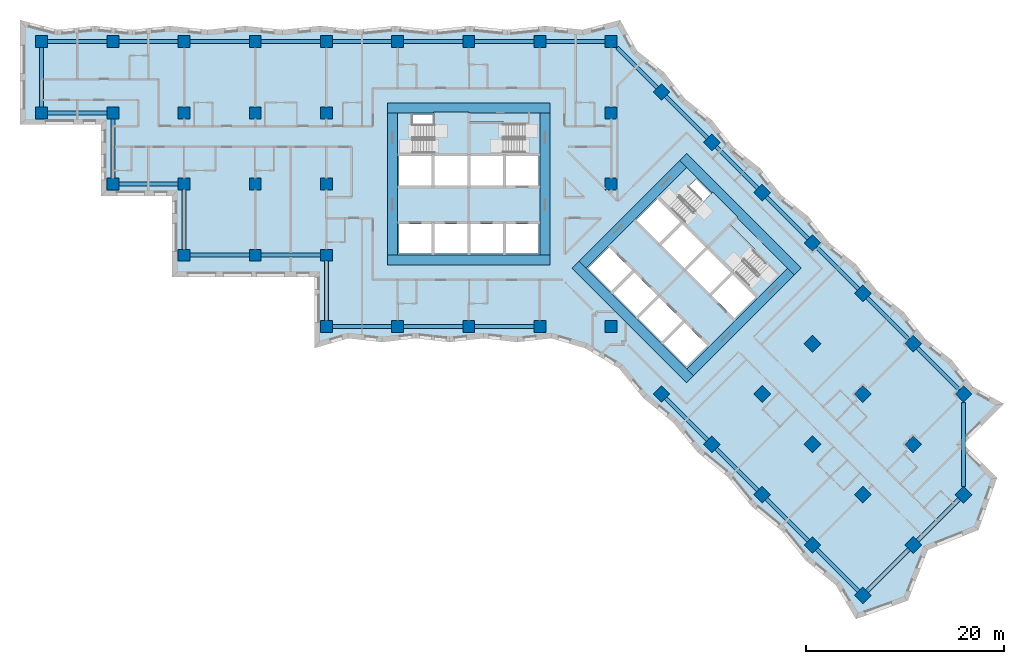
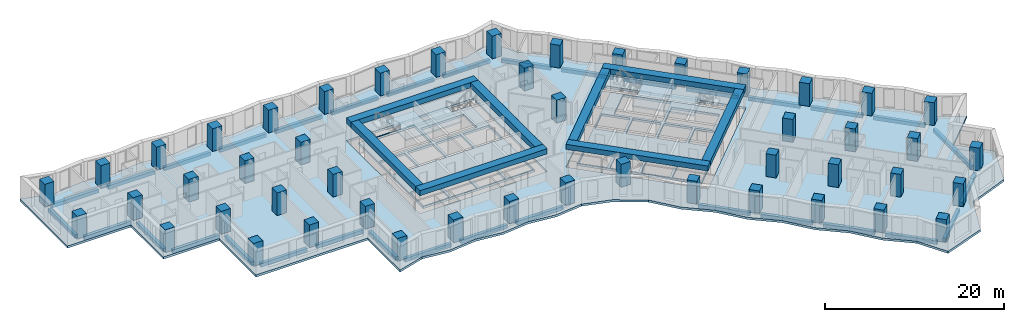
# One storey, part 1 of 12: 48 columns, 41 beams, 7 slabs, 22 openings, 4 elements without a shape of their own.
"""IFC4 building model written with IfcOpenShell, lengths in metres."""

from ifc_helpers import new_model, si_unit, direction, frame, origin, origin_2d, place, context, subcontext, project, spatial, polyline, rectangle, outline, extrude, material, layer, layer_set, material_profile, profile_set, type_object, element, aggregate, save


model = new_model("IFC4")

# Units and contexts
model_context = context("Model", 3, precision=1e-05, world=origin(), true_north=direction((0.0, 1.0)))
body_context = subcontext(model_context, "Body", "Model", "MODEL_VIEW")
ifc_project = project(units=[si_unit("LENGTHUNIT", "METRE"), si_unit("AREAUNIT", "SQUARE_METRE"), si_unit("VOLUMEUNIT", "CUBIC_METRE"), si_unit("PLANEANGLEUNIT", "RADIAN"), si_unit("MASSUNIT", "GRAM", prefix="KILO")], contexts=[model_context])

# Site, building, storey
site_placement = place(None, origin())
site = spatial("IfcSite", under=ifc_project, at=site_placement, CompositionType="ELEMENT")
building_placement = place(site_placement, origin())
building = spatial("IfcBuilding", under=site, at=building_placement, Name="Windrow Commons", CompositionType="ELEMENT")
storey_placement = place(building_placement, frame((0.0, 0.0, 37.2)))
storey = spatial("IfcBuildingStorey", under=building, at=storey_placement, Name="L09", CompositionType="ELEMENT", Elevation=37.2)

# Columns
ifc_material_1 = material(Name="Concrete C60/75", Category="concrete")
ifc_material_profile_1 = material_profile(ifc_material_1, rectangle(XDim=1.2, YDim=1.2, at=origin_2d()))
ifc_profile_set_1 = profile_set([ifc_material_profile_1], Name="Concrete C60/75")
column_type = type_object("IfcColumnType", Name="RC COLUMN 1200x1200 C60/75", PredefinedType="COLUMN", material=ifc_profile_set_1)
for number, where, z_axis, x_axis, name in (
    (1, (21.6, 64.8, 0.0), (0.0, 0.0, 1.0), (1.0, 0.0, 0.0), "C-Z1-04I"),
    (2, (21.6, 72.0, 0.0), (0.0, 0.0, 1.0), (1.0, 0.0, 0.0), "C-Z1-04J"),
    (3, (28.8, 57.6, 0.0), (0.0, 0.0, 1.0), (1.0, 0.0, 0.0), "C-Z1-05H"),
    (4, (28.8, 64.8, 0.0), (0.0, 0.0, 1.0), (1.0, 0.0, 0.0), "C-Z1-05I"),
    (5, (28.8, 72.0, 0.0), (0.0, 0.0, 1.0), (1.0, 0.0, 0.0), "C-Z1-05J"),
    (6, (36.0, 50.4, 0.0), (0.0, 0.0, 1.0), (1.0, 0.0, 0.0), "C-Z1-06G"),
    (7, (36.0, 57.6, 0.0), (0.0, 0.0, 1.0), (1.0, 0.0, 0.0), "C-Z1-06H"),
    (8, (36.0, 64.8, 0.0), (0.0, 0.0, 1.0), (1.0, 0.0, 0.0), "C-Z1-06I"),
    (9, (36.0, 72.0, 0.0), (0.0, 0.0, 1.0), (1.0, 0.0, 0.0), "C-Z1-06J"),
    (10, (43.2, 50.4, 0.0), (0.0, 0.0, 1.0), (1.0, 0.0, 0.0), "C-Z1-07G"),
    (11, (43.2, 57.6, 0.0), (0.0, 0.0, 1.0), (1.0, 0.0, 0.0), "C-Z1-07H"),
    (12, (43.2, 64.8, 0.0), (0.0, 0.0, 1.0), (1.0, 0.0, 0.0), "C-Z1-07I"),
    (13, (43.2, 72.0, 0.0), (0.0, 0.0, 1.0), (1.0, 0.0, 0.0), "C-Z1-07J"),
    (14, (50.4, 43.2, 0.0), (0.0, 0.0, 1.0), (1.0, 0.0, 0.0), "C-Z1-08F"),
    (15, (50.4, 50.4, 0.0), (0.0, 0.0, 1.0), (1.0, 0.0, 0.0), "C-Z1-08G"),
    (16, (50.4, 57.6, 0.0), (0.0, 0.0, 1.0), (1.0, 0.0, 0.0), "C-Z1-08H"),
    (17, (50.4, 64.8, 0.0), (0.0, 0.0, 1.0), (1.0, 0.0, 0.0), "C-Z1-08I"),
    (18, (50.4, 72.0, 0.0), (0.0, 0.0, 1.0), (1.0, 0.0, 0.0), "C-Z1-08J"),
    (19, (57.6, 43.2, 0.0), (0.0, 0.0, 1.0), (1.0, 0.0, 0.0), "C-Z1-09F"),
    (20, (57.6, 72.0, 0.0), (0.0, 0.0, 1.0), (1.0, 0.0, 0.0), "C-Z1-09J"),
    (21, (64.8, 43.2, 0.0), (0.0, 0.0, 1.0), (1.0, 0.0, 0.0), "C-Z1-10F"),
    (22, (64.8, 72.0, 0.0), (0.0, 0.0, 1.0), (1.0, 0.0, 0.0), "C-Z1-10J"),
    (23, (72.0, 43.2, 0.0), (0.0, 0.0, 1.0), (1.0, 0.0, 0.0), "C-Z1-11F"),
    (24, (72.0, 72.0, 0.0), (0.0, 0.0, 1.0), (1.0, 0.0, 0.0), "C-Z1-11J"),
    (25, (79.2, 43.2, 0.0), (0.0, 0.0, 1.0), (1.0, 0.0, 0.0), "C-Z1-12F"),
    (26, (79.2, 57.6, 0.0), (0.0, 0.0, 1.0), (1.0, 0.0, 0.0), "C-Z1-12H"),
    (27, (79.2, 64.8, 0.0), (0.0, 0.0, 1.0), (1.0, 0.0, 0.0), "C-Z1-12I"),
    (28, (79.2, 72.0, 0.0), (0.0, 0.0, 1.0), (1.0, 0.0, 0.0), "C-Z1-12J"),
    (29, (84.2912, 66.9088, 0.0), (0.0, 0.0, 1.0), (0.7071067812, -0.7071067812, 0.0), "C-Z1-P2Q"),
    (30, (89.3823, 61.8177, 0.0), (0.0, 0.0, 1.0), (0.7071067812, -0.7071067812, 0.0), "C-Z1-P3Q"),
    (31, (94.4735, 56.7265, 0.0), (0.0, 0.0, 1.0), (0.7071067812, -0.7071067812, 0.0), "C-Z1-P4Q"),
    (32, (99.5647, 51.6353, 0.0), (0.0, 0.0, 1.0), (0.7071067812, -0.7071067812, 0.0), "C-Z1-P5Q"),
    (33, (84.2912, 36.3618, 0.0), (0.0, 0.0, 1.0), (0.7071067812, -0.7071067812, 0.0), "C-Z1-P5T"),
    (34, (104.6558, 46.5442, 0.0), (0.0, 0.0, 1.0), (0.7071067812, -0.7071067812, 0.0), "C-Z1-P6Q"),
    (35, (99.5647, 41.453, 0.0), (0.0, 0.0, 1.0), (0.7071067812, -0.7071067812, 0.0), "C-Z1-P6R"),
    (36, (94.4735, 36.3618, 0.0), (0.0, 0.0, 1.0), (0.7071067812, -0.7071067812, 0.0), "C-Z1-P6S"),
    (37, (89.3823, 31.2706, 0.0), (0.0, 0.0, 1.0), (0.7071067812, -0.7071067812, 0.0), "C-Z1-P6T"),
    (38, (109.747, 41.453, 0.0), (0.0, 0.0, 1.0), (0.7071067812, -0.7071067812, 0.0), "C-Z1-P7Q"),
    (39, (104.6558, 36.3618, 0.0), (0.0, 0.0, 1.0), (0.7071067812, -0.7071067812, 0.0), "C-Z1-P7R"),
    (40, (99.5647, 31.2706, 0.0), (0.0, 0.0, 1.0), (0.7071067812, -0.7071067812, 0.0), "C-Z1-P7S"),
    (41, (94.4735, 26.1795, 0.0), (0.0, 0.0, 1.0), (0.7071067812, -0.7071067812, 0.0), "C-Z1-P7T"),
    (42, (114.8382, 36.3618, 0.0), (0.0, 0.0, 1.0), (0.7071067812, -0.7071067812, 0.0), "C-Z1-P8Q"),
    (43, (109.747, 31.2706, 0.0), (0.0, 0.0, 1.0), (0.7071067812, -0.7071067812, 0.0), "C-Z1-P8R"),
    (44, (104.6558, 26.1795, 0.0), (0.0, 0.0, 1.0), (0.7071067812, -0.7071067812, 0.0), "C-Z1-P8S"),
    (45, (99.5647, 21.0883, 0.0), (0.0, 0.0, 1.0), (0.7071067812, -0.7071067812, 0.0), "C-Z1-P8T"),
    (46, (114.8382, 26.1795, 0.0), (0.0, 0.0, 1.0), (0.7071067812, -0.7071067812, 0.0), "C-Z1-P9R"),
    (47, (109.747, 21.0883, 0.0), (0.0, 0.0, 1.0), (0.7071067812, -0.7071067812, 0.0), "C-Z1-P9S"),
    (48, (104.6558, 15.9971, 0.0), (0.0, 0.0, 1.0), (0.7071067812, -0.7071067812, 0.0), "C-Z1-P9T"),
):
    element("IfcColumn", number, at=place(storey_placement, frame(where, z_axis=z_axis, x_axis=x_axis)), inside=storey, type_object=column_type, Name=name, PredefinedType="COLUMN", context=body_context, shape_type="SweptSolid", body=[
        extrude(rectangle(XDim=1.2, YDim=1.2, at=origin_2d()), origin(), (0.0, 0.0, 1.0), 3.1),
    ])

# Beams
ifc_material_2 = material(Name="Concrete C60/75", Category="concrete")
ifc_material_profile_2 = material_profile(ifc_material_2, rectangle(XDim=1.0, YDim=0.7, at=origin_2d()))
ifc_profile_set_2 = profile_set([ifc_material_profile_2], Name="Concrete C60/75")
beam_type_1 = type_object("IfcBeamType", Name="RC COUPLING BEAM 1000x700 C60/75", PredefinedType="LINTEL", material=ifc_profile_set_2)
for number, where, z_axis, x_axis, name in (
    (49, (56.6, 49.9, 2.75), (1.0, 0.0, 0.0), (0.0, 1.0, 0.0), "Core A coupling beam outer-S"),
    (50, (56.6, 65.3, 2.75), (1.0, 0.0, 0.0), (0.0, 1.0, 0.0), "Core A coupling beam outer-N"),
):
    element("IfcBeam", number, at=place(storey_placement, frame(where, z_axis=z_axis, x_axis=x_axis)), inside=storey, type_object=beam_type_1, Name=name, PredefinedType="LINTEL", context=body_context, shape_type="SweptSolid", body=[
        extrude(rectangle(XDim=1.0, YDim=0.7, at=origin_2d()), origin(), (0.0, 0.0, 1.0), 16.4),
    ])
for number, where, z_axis, x_axis, name in (
    (51, (57.1, 50.4, 2.75), (0.0, 1.0, 0.0), (-1.0, 0.0, 0.0), "Core A coupling beam outer-W"),
    (52, (72.5, 50.4, 2.75), (0.0, 1.0, 0.0), (-1.0, 0.0, 0.0), "Core A coupling beam outer-E"),
):
    element("IfcBeam", number, at=place(storey_placement, frame(where, z_axis=z_axis, x_axis=x_axis)), inside=storey, type_object=beam_type_1, Name=name, PredefinedType="LINTEL", context=body_context, shape_type="SweptSolid", body=[
        extrude(rectangle(XDim=1.0, YDim=0.7, at=origin_2d()), origin(), (0.0, 0.0, 1.0), 14.4),
    ])
for number, where, z_axis, x_axis, name in (
    (53, (75.5938, 49.4433, 2.75), (0.7071037324, -0.70710983, 0.0), (0.70710983, 0.7071037324, 0.0), "Core B coupling beam outer-S"),
    (54, (86.4832, 60.3327, 2.75), (0.70710983, -0.7071037324, 0.0), (0.7071037324, 0.70710983, 0.0), "Core B coupling beam outer-N"),
):
    element("IfcBeam", number, at=place(storey_placement, frame(where, z_axis=z_axis, x_axis=x_axis)), inside=storey, type_object=beam_type_1, Name=name, PredefinedType="LINTEL", context=body_context, shape_type="SweptSolid", body=[
        extrude(rectangle(XDim=1.0, YDim=0.7, at=origin_2d()), origin(), (0.0, 0.0, 1.0), 16.4),
    ])
beam_1_placement = place(storey_placement, frame((76.3009, 49.4433, 2.75), z_axis=(0.7071067812, 0.7071067812, 0.0), x_axis=(-0.7071067812, 0.7071067812, 0.0)))
element("IfcBeam", 55, at=beam_1_placement, inside=storey, type_object=beam_type_1, Name="Core B coupling beam outer-W", PredefinedType="LINTEL", context=body_context, shape_type="SweptSolid", body=[
    extrude(rectangle(XDim=1.0, YDim=0.7, at=origin_2d()), origin(), (0.0, 0.0, 1.0), 14.3999),
])
beam_2_placement = place(storey_placement, frame((87.1903, 38.5538, 2.75), z_axis=(0.707103309, 0.7071102534, 0.0), x_axis=(-0.7071102534, 0.707103309, 0.0)))
element("IfcBeam", 56, at=beam_2_placement, inside=storey, type_object=beam_type_1, Name="Core B coupling beam outer-E", PredefinedType="LINTEL", context=body_context, shape_type="SweptSolid", body=[
    extrude(rectangle(XDim=1.0, YDim=0.7, at=origin_2d()), origin(), (0.0, 0.0, 1.0), 14.4),
])
ifc_material_3 = material(Name="Concrete C60/75", Category="concrete")
ifc_material_profile_3 = material_profile(ifc_material_3, rectangle(XDim=0.4, YDim=0.5, at=origin_2d()))
ifc_profile_set_3 = profile_set([ifc_material_profile_3], Name="Concrete C60/75")
beam_type_2 = type_object("IfcBeamType", Name="RC EDGE BEAM 400x500 C60/75", PredefinedType="SPANDREL", material=ifc_profile_set_3)
for number, where, z_axis, x_axis, name in (
    (57, (42.6, 50.4, -0.55), (-1.0, 0.0, 0.0), (0.0, -1.0, 0.0), "Edge beam L09 001"),
    (58, (36.0, 51.0, -0.55), (0.0, 1.0, 0.0), (-1.0, 0.0, 0.0), "Edge beam L09 002"),
    (59, (35.4, 57.6, -0.55), (-1.0, 0.0, 0.0), (0.0, -1.0, 0.0), "Edge beam L09 003"),
    (60, (28.8, 58.2, -0.55), (0.0, 1.0, 0.0), (-1.0, 0.0, 0.0), "Edge beam L09 004"),
    (61, (28.2, 64.8, -0.55), (-1.0, 0.0, 0.0), (0.0, -1.0, 0.0), "Edge beam L09 005"),
    (62, (21.6, 65.4, -0.55), (0.0, 1.0, 0.0), (-1.0, 0.0, 0.0), "Edge beam L09 006"),
    (63, (22.2, 72.0, -0.55), (1.0, 0.0, 0.0), (0.0, 1.0, 0.0), "Edge beam L09 007"),
    (64, (29.4, 72.0, -0.55), (1.0, 0.0, 0.0), (0.0, 1.0, 0.0), "Edge beam L09 008"),
    (65, (36.6, 72.0, -0.55), (1.0, 0.0, 0.0), (0.0, 1.0, 0.0), "Edge beam L09 009"),
    (66, (43.8, 72.0, -0.55), (1.0, 0.0, 0.0), (0.0, 1.0, 0.0), "Edge beam L09 010"),
    (67, (51.0, 72.0, -0.55), (1.0, 0.0, 0.0), (0.0, 1.0, 0.0), "Edge beam L09 011"),
    (68, (58.2, 72.0, -0.55), (1.0, 0.0, 0.0), (0.0, 1.0, 0.0), "Edge beam L09 012"),
    (69, (65.4, 72.0, -0.55), (1.0, 0.0, 0.0), (0.0, 1.0, 0.0), "Edge beam L09 013"),
    (70, (72.6, 72.0, -0.55), (1.0, 0.0, 0.0), (0.0, 1.0, 0.0), "Edge beam L09 014"),
):
    element("IfcBeam", number, at=place(storey_placement, frame(where, z_axis=z_axis, x_axis=x_axis)), inside=storey, type_object=beam_type_2, Name=name, PredefinedType="SPANDREL", context=body_context, shape_type="SweptSolid", body=[
        extrude(rectangle(XDim=0.4, YDim=0.5, at=origin_2d()), origin(), (0.0, 0.0, 1.0), 6.0),
    ])
beam_3_placement = place(storey_placement, frame((79.8, 71.4, -0.55), z_axis=(0.7071067812, -0.7071067812, 0.0), x_axis=(0.7071067812, 0.7071067812, 0.0)))
element("IfcBeam", 71, at=beam_3_placement, inside=storey, type_object=beam_type_2, Name="Edge beam L09 015", PredefinedType="SPANDREL", context=body_context, shape_type="SweptSolid", body=[
    extrude(rectangle(XDim=0.4, YDim=0.5, at=origin_2d()), origin(), (0.0, 0.0, 1.0), 5.7515),
])
beam_4_placement = place(storey_placement, frame((84.7155, 66.4845, -0.55), z_axis=(0.7071067812, -0.7071067812, 0.0), x_axis=(0.7071067812, 0.7071067812, 0.0)))
element("IfcBeam", 72, at=beam_4_placement, inside=storey, type_object=beam_type_2, Name="Edge beam L09 016", PredefinedType="SPANDREL", context=body_context, shape_type="SweptSolid", body=[
    extrude(rectangle(XDim=0.4, YDim=0.5, at=origin_2d()), origin(), (0.0, 0.0, 1.0), 5.9998),
])
for number, where, z_axis, x_axis, name in (
    (73, (89.8066, 61.3934, -0.55), (0.7071067812, -0.7071067812, 0.0), (0.7071067812, 0.7071067812, 0.0), "Edge beam L09 017"),
    (74, (94.8978, 56.3022, -0.55), (0.7071067812, -0.7071067812, 0.0), (0.7071067812, 0.7071067812, 0.0), "Edge beam L09 018"),
):
    element("IfcBeam", number, at=place(storey_placement, frame(where, z_axis=z_axis, x_axis=x_axis)), inside=storey, type_object=beam_type_2, Name=name, PredefinedType="SPANDREL", context=body_context, shape_type="SweptSolid", body=[
        extrude(rectangle(XDim=0.4, YDim=0.5, at=origin_2d()), origin(), (0.0, 0.0, 1.0), 5.9999),
    ])
beam_5_placement = place(storey_placement, frame((99.989, 51.211, -0.55), z_axis=(0.7071067812, -0.7071067812, 0.0), x_axis=(0.7071067812, 0.7071067812, 0.0)))
element("IfcBeam", 75, at=beam_5_placement, inside=storey, type_object=beam_type_2, Name="Edge beam L09 019", PredefinedType="SPANDREL", context=body_context, shape_type="SweptSolid", body=[
    extrude(rectangle(XDim=0.4, YDim=0.5, at=origin_2d()), origin(), (0.0, 0.0, 1.0), 5.9998),
])
for number, where, z_axis, x_axis, name in (
    (76, (105.0801, 46.1199, -0.55), (0.7071067812, -0.7071067812, 0.0), (0.7071067812, 0.7071067812, 0.0), "Edge beam L09 020"),
    (77, (110.1713, 41.0287, -0.55), (0.7071067812, -0.7071067812, 0.0), (0.7071067812, 0.7071067812, 0.0), "Edge beam L09 021"),
):
    element("IfcBeam", number, at=place(storey_placement, frame(where, z_axis=z_axis, x_axis=x_axis)), inside=storey, type_object=beam_type_2, Name=name, PredefinedType="SPANDREL", context=body_context, shape_type="SweptSolid", body=[
        extrude(rectangle(XDim=0.4, YDim=0.5, at=origin_2d()), origin(), (0.0, 0.0, 1.0), 5.9999),
    ])
beam_6_placement = place(storey_placement, frame((114.8382, 35.5133, -0.55), z_axis=(0.0, -1.0, 0.0), x_axis=(1.0, 0.0, 0.0)))
element("IfcBeam", 78, at=beam_6_placement, inside=storey, type_object=beam_type_2, Name="Edge beam L09 022", PredefinedType="SPANDREL", context=body_context, shape_type="SweptSolid", body=[
    extrude(rectangle(XDim=0.4, YDim=0.5, at=origin_2d()), origin(), (0.0, 0.0, 1.0), 8.4853),
])
for number, where, z_axis, x_axis, name in (
    (79, (114.4139, 25.7552, -0.55), (-0.7071067812, -0.7071067812, 0.0), (0.7071067812, -0.7071067812, 0.0), "Edge beam L09 023"),
    (80, (109.3227, 20.664, -0.55), (-0.7071067812, -0.7071067812, 0.0), (0.7071067812, -0.7071067812, 0.0), "Edge beam L09 024"),
    (81, (104.2315, 16.4214, -0.55), (-0.7070984476, 0.7071151146, 0.0), (-0.7071151146, -0.7070984476, 0.0), "Edge beam L09 025"),
    (82, (99.1404, 21.5126, -0.55), (-0.7071067812, 0.7071067812, 0.0), (-0.7071067812, -0.7071067812, 0.0), "Edge beam L09 026"),
    (83, (94.0492, 26.6038, -0.55), (-0.7071151146, 0.7070984476, 0.0), (-0.7070984476, -0.7071151146, 0.0), "Edge beam L09 027"),
    (84, (88.958, 31.6949, -0.55), (-0.7070984476, 0.7071151146, 0.0), (-0.7071151146, -0.7070984476, 0.0), "Edge beam L09 028"),
):
    element("IfcBeam", number, at=place(storey_placement, frame(where, z_axis=z_axis, x_axis=x_axis)), inside=storey, type_object=beam_type_2, Name=name, PredefinedType="SPANDREL", context=body_context, shape_type="SweptSolid", body=[
        extrude(rectangle(XDim=0.4, YDim=0.5, at=origin_2d()), origin(), (0.0, 0.0, 1.0), 5.9999),
    ])
for number, where, z_axis, x_axis, name in (
    (85, (71.4, 43.2, -0.55), (-1.0, 0.0, 0.0), (0.0, -1.0, 0.0), "Edge beam L09 029"),
    (86, (64.2, 43.2, -0.55), (-1.0, 0.0, 0.0), (0.0, -1.0, 0.0), "Edge beam L09 030"),
    (87, (57.0, 43.2, -0.55), (-1.0, 0.0, 0.0), (0.0, -1.0, 0.0), "Edge beam L09 031"),
    (88, (50.4, 43.8, -0.55), (0.0, 1.0, 0.0), (-1.0, 0.0, 0.0), "Edge beam L09 032"),
    (89, (49.8, 50.4, -0.55), (-1.0, 0.0, 0.0), (0.0, -1.0, 0.0), "Edge beam L09 033"),
):
    element("IfcBeam", number, at=place(storey_placement, frame(where, z_axis=z_axis, x_axis=x_axis)), inside=storey, type_object=beam_type_2, Name=name, PredefinedType="SPANDREL", context=body_context, shape_type="SweptSolid", body=[
        extrude(rectangle(XDim=0.4, YDim=0.5, at=origin_2d()), origin(), (0.0, 0.0, 1.0), 6.0),
    ])

# Slab, openings
ifc_material_4 = material(Name="Concrete C60/75", Category="concrete")
ifc_layer_1 = layer(ifc_material_4, 0.3)
ifc_layer_set_1 = layer_set([ifc_layer_1], Name="CORE FLOOR SLAB 300 C60/75")
slab_type_1 = type_object("IfcSlabType", Name="CORE FLOOR SLAB 300 C60/75", PredefinedType="FLOOR", material=ifc_layer_set_1)
placement_1 = place(storey_placement, frame((0.0, 0.0, -0.3)))
slab_1 = element("IfcSlab", 90, at=placement_1, inside=storey, type_object=slab_type_1, Name="S-L09-core-A", PredefinedType="FLOOR", context=body_context, shape_type="SweptSolid", body=[
    extrude(outline(polyline([(57.6, 50.4), (72.0, 50.4), (72.0, 64.8), (57.6, 64.8), (57.6, 50.4)]), holes=[polyline([(57.75, 50.55), (61.05, 50.55), (61.05, 53.55), (57.75, 53.55), (57.75, 50.55)]), polyline([(61.35, 50.55), (64.65, 50.55), (64.65, 53.55), (61.35, 53.55), (61.35, 50.55)]), polyline([(64.95, 50.55), (68.25, 50.55), (68.25, 53.55), (64.95, 53.55), (64.95, 50.55)]), polyline([(68.55, 50.55), (71.85, 50.55), (71.85, 53.55), (68.55, 53.55), (68.55, 50.55)]), polyline([(57.75, 57.45), (61.05, 57.45), (61.05, 60.45), (57.75, 60.45), (57.75, 57.45)]), polyline([(61.35, 57.45), (64.65, 57.45), (64.65, 60.45), (61.35, 60.45), (61.35, 57.45)]), polyline([(64.95, 57.45), (68.25, 57.45), (68.25, 60.45), (64.95, 60.45), (64.95, 57.45)]), polyline([(68.55, 57.45), (71.85, 57.45), (71.85, 60.45), (68.55, 60.45), (68.55, 57.45)]), polyline([(59.1, 60.75), (64.65, 60.75), (64.65, 64.65), (59.1, 64.65), (59.1, 60.75)]), polyline([(64.95, 60.75), (70.5, 60.75), (70.5, 63.705), (64.95, 63.705), (64.95, 60.75)])]), origin(), (0.0, 0.0, 1.0), 0.3),
])
opening_1_placement = place(placement_1, origin())
element("IfcOpeningElement", 91, at=opening_1_placement, cuts=slab_1, Name="Slab opening S-L09-core-A 1", PredefinedType="OPENING", context=body_context, shape_type="SweptSolid", body=[
    extrude(outline(polyline([(57.755, 50.555), (57.755, 53.545), (61.045, 53.545), (61.045, 50.555), (57.755, 50.555)])), origin(), (0.0, 0.0, 1.0), 0.3),
])
opening_2_placement = place(placement_1, origin())
element("IfcOpeningElement", 92, at=opening_2_placement, cuts=slab_1, Name="Slab opening S-L09-core-A 2", PredefinedType="OPENING", context=body_context, shape_type="SweptSolid", body=[
    extrude(outline(polyline([(61.355, 50.555), (61.355, 53.545), (64.645, 53.545), (64.645, 50.555), (61.355, 50.555)])), origin(), (0.0, 0.0, 1.0), 0.3),
])
opening_3_placement = place(placement_1, origin())
element("IfcOpeningElement", 93, at=opening_3_placement, cuts=slab_1, Name="Slab opening S-L09-core-A 3", PredefinedType="OPENING", context=body_context, shape_type="SweptSolid", body=[
    extrude(outline(polyline([(64.955, 50.555), (64.955, 53.545), (68.245, 53.545), (68.245, 50.555), (64.955, 50.555)])), origin(), (0.0, 0.0, 1.0), 0.3),
])
opening_4_placement = place(placement_1, origin())
element("IfcOpeningElement", 94, at=opening_4_placement, cuts=slab_1, Name="Slab opening S-L09-core-A 4", PredefinedType="OPENING", context=body_context, shape_type="SweptSolid", body=[
    extrude(outline(polyline([(68.555, 50.555), (68.555, 53.545), (71.845, 53.545), (71.845, 50.555), (68.555, 50.555)])), origin(), (0.0, 0.0, 1.0), 0.3),
])
opening_5_placement = place(placement_1, origin())
element("IfcOpeningElement", 95, at=opening_5_placement, cuts=slab_1, Name="Slab opening S-L09-core-A 5", PredefinedType="OPENING", context=body_context, shape_type="SweptSolid", body=[
    extrude(outline(polyline([(57.755, 57.455), (57.755, 60.445), (61.045, 60.445), (61.045, 57.455), (57.755, 57.455)])), origin(), (0.0, 0.0, 1.0), 0.3),
])
opening_6_placement = place(placement_1, origin())
element("IfcOpeningElement", 96, at=opening_6_placement, cuts=slab_1, Name="Slab opening S-L09-core-A 6", PredefinedType="OPENING", context=body_context, shape_type="SweptSolid", body=[
    extrude(outline(polyline([(61.355, 57.455), (61.355, 60.445), (64.645, 60.445), (64.645, 57.455), (61.355, 57.455)])), origin(), (0.0, 0.0, 1.0), 0.3),
])
opening_7_placement = place(placement_1, origin())
element("IfcOpeningElement", 97, at=opening_7_placement, cuts=slab_1, Name="Slab opening S-L09-core-A 7", PredefinedType="OPENING", context=body_context, shape_type="SweptSolid", body=[
    extrude(outline(polyline([(64.955, 57.455), (64.955, 60.445), (68.245, 60.445), (68.245, 57.455), (64.955, 57.455)])), origin(), (0.0, 0.0, 1.0), 0.3),
])
opening_8_placement = place(placement_1, origin())
element("IfcOpeningElement", 98, at=opening_8_placement, cuts=slab_1, Name="Slab opening S-L09-core-A 8", PredefinedType="OPENING", context=body_context, shape_type="SweptSolid", body=[
    extrude(outline(polyline([(68.555, 57.455), (68.555, 60.445), (71.845, 60.445), (71.845, 57.455), (68.555, 57.455)])), origin(), (0.0, 0.0, 1.0), 0.3),
])
opening_9_placement = place(placement_1, origin())
element("IfcOpeningElement", 99, at=opening_9_placement, cuts=slab_1, Name="Slab opening S-L09-core-A 9", PredefinedType="OPENING", context=body_context, shape_type="SweptSolid", body=[
    extrude(outline(polyline([(59.105, 60.755), (59.105, 64.645), (64.645, 64.645), (64.645, 60.755), (59.105, 60.755)])), origin(), (0.0, 0.0, 1.0), 0.3),
])
opening_10_placement = place(placement_1, origin())
element("IfcOpeningElement", 100, at=opening_10_placement, cuts=slab_1, Name="Slab opening S-L09-core-A 10", PredefinedType="OPENING", context=body_context, shape_type="SweptSolid", body=[
    extrude(outline(polyline([(64.955, 60.755), (64.955, 63.7), (70.495, 63.7), (70.495, 60.755), (64.955, 60.755)])), origin(), (0.0, 0.0, 1.0), 0.3),
])

slab_2 = element("IfcSlab", 101, at=placement_1, inside=storey, type_object=slab_type_1, Name="S-L09-core-B", PredefinedType="FLOOR", context=body_context, shape_type="SweptSolid", body=[
    extrude(outline(polyline([(76.6544, 49.0897), (86.8368, 38.9074), (97.0191, 49.0897), (86.8368, 59.2721), (76.6544, 49.0897)]), holes=[polyline([(76.8665, 49.0897), (79.2, 46.7563), (81.3213, 48.8776), (78.9879, 51.2111), (76.8665, 49.0897)]), polyline([(79.4121, 46.5442), (81.7456, 44.2107), (83.8669, 46.332), (81.5335, 48.6655), (79.4121, 46.5442)]), polyline([(81.9577, 43.9986), (84.2912, 41.6651), (86.4125, 43.7864), (84.079, 46.1199), (81.9577, 43.9986)]), polyline([(84.5033, 41.453), (86.8368, 39.1195), (88.9581, 41.2409), (86.6246, 43.5743), (84.5033, 41.453)]), polyline([(81.7456, 53.9688), (84.079, 51.6353), (86.2004, 53.7566), (83.8669, 56.0901), (81.7456, 53.9688)]), polyline([(84.2912, 51.4232), (86.6246, 49.0897), (88.7459, 51.2111), (86.4125, 53.5445), (84.2912, 51.4232)]), polyline([(86.8368, 48.8776), (89.1702, 46.5442), (91.2915, 48.6655), (88.9581, 50.9989), (86.8368, 48.8776)]), polyline([(89.3823, 46.332), (91.7158, 43.9986), (93.8371, 46.1199), (91.5037, 48.4533), (89.3823, 46.332)]), polyline([(85.0336, 55.3476), (88.9581, 51.4232), (91.7158, 54.1809), (87.7913, 58.1054), (85.0336, 55.3476)]), polyline([(89.1702, 51.2111), (93.0946, 47.2866), (95.1841, 49.3761), (91.2597, 53.3006), (89.1702, 51.2111)])]), origin(), (0.0, 0.0, 1.0), 0.3),
])
opening_11_placement = place(placement_1, origin())
element("IfcOpeningElement", 102, at=opening_11_placement, cuts=slab_2, Name="Slab opening S-L09-core-B 1", PredefinedType="OPENING", context=body_context, shape_type="SweptSolid", body=[
    extrude(outline(polyline([(76.8736, 49.0897), (78.9879, 51.204), (81.3142, 48.8776), (79.2, 46.7634), (76.8736, 49.0897)])), origin(), (0.0, 0.0, 1.0), 0.3),
])
opening_12_placement = place(placement_1, origin())
element("IfcOpeningElement", 103, at=opening_12_placement, cuts=slab_2, Name="Slab opening S-L09-core-B 2", PredefinedType="OPENING", context=body_context, shape_type="SweptSolid", body=[
    extrude(outline(polyline([(79.4192, 46.5442), (81.5335, 48.6584), (83.8598, 46.332), (81.7456, 44.2178), (79.4192, 46.5442)])), origin(), (0.0, 0.0, 1.0), 0.3),
])
opening_13_placement = place(placement_1, origin())
element("IfcOpeningElement", 104, at=opening_13_placement, cuts=slab_2, Name="Slab opening S-L09-core-B 3", PredefinedType="OPENING", context=body_context, shape_type="SweptSolid", body=[
    extrude(outline(polyline([(81.9648, 43.9986), (84.079, 46.1128), (86.4054, 43.7864), (84.2912, 41.6722), (81.9648, 43.9986)])), origin(), (0.0, 0.0, 1.0), 0.3),
])
opening_14_placement = place(placement_1, origin())
element("IfcOpeningElement", 105, at=opening_14_placement, cuts=slab_2, Name="Slab opening S-L09-core-B 4", PredefinedType="OPENING", context=body_context, shape_type="SweptSolid", body=[
    extrude(outline(polyline([(84.5104, 41.453), (86.6246, 43.5672), (88.951, 41.2409), (86.8368, 39.1266), (84.5104, 41.453)])), origin(), (0.0, 0.0, 1.0), 0.3),
])
opening_15_placement = place(placement_1, origin())
element("IfcOpeningElement", 106, at=opening_15_placement, cuts=slab_2, Name="Slab opening S-L09-core-B 5", PredefinedType="OPENING", context=body_context, shape_type="SweptSolid", body=[
    extrude(outline(polyline([(81.7527, 53.9688), (83.8669, 56.083), (86.1933, 53.7566), (84.079, 51.6424), (81.7527, 53.9688)])), origin(), (0.0, 0.0, 1.0), 0.3),
])
opening_16_placement = place(placement_1, origin())
element("IfcOpeningElement", 107, at=opening_16_placement, cuts=slab_2, Name="Slab opening S-L09-core-B 6", PredefinedType="OPENING", context=body_context, shape_type="SweptSolid", body=[
    extrude(outline(polyline([(84.2983, 51.4232), (86.4125, 53.5374), (88.7388, 51.2111), (86.6246, 49.0968), (84.2983, 51.4232)])), origin(), (0.0, 0.0, 1.0), 0.3),
])
opening_17_placement = place(placement_1, origin())
element("IfcOpeningElement", 108, at=opening_17_placement, cuts=slab_2, Name="Slab opening S-L09-core-B 7", PredefinedType="OPENING", context=body_context, shape_type="SweptSolid", body=[
    extrude(outline(polyline([(86.8439, 48.8776), (88.9581, 50.9918), (91.2844, 48.6655), (89.1702, 46.5513), (86.8439, 48.8776)])), origin(), (0.0, 0.0, 1.0), 0.3),
])
opening_18_placement = place(placement_1, origin())
element("IfcOpeningElement", 109, at=opening_18_placement, cuts=slab_2, Name="Slab opening S-L09-core-B 8", PredefinedType="OPENING", context=body_context, shape_type="SweptSolid", body=[
    extrude(outline(polyline([(89.3894, 46.332), (91.5037, 48.4462), (93.83, 46.1199), (91.7158, 44.0057), (89.3894, 46.332)])), origin(), (0.0, 0.0, 1.0), 0.3),
])
opening_19_placement = place(placement_1, origin())
element("IfcOpeningElement", 110, at=opening_19_placement, cuts=slab_2, Name="Slab opening S-L09-core-B 9", PredefinedType="OPENING", context=body_context, shape_type="SweptSolid", body=[
    extrude(outline(polyline([(85.0407, 55.3476), (87.7913, 58.0983), (91.7087, 54.1809), (88.9581, 51.4303), (85.0407, 55.3476)])), origin(), (0.0, 0.0, 1.0), 0.3),
])
opening_20_placement = place(placement_1, origin())
element("IfcOpeningElement", 111, at=opening_20_placement, cuts=slab_2, Name="Slab opening S-L09-core-B 10", PredefinedType="OPENING", context=body_context, shape_type="SweptSolid", body=[
    extrude(outline(polyline([(89.1773, 51.2111), (91.2597, 53.2935), (95.177, 49.3761), (93.0946, 47.2937), (89.1773, 51.2111)])), origin(), (0.0, 0.0, 1.0), 0.3),
])

# Stair, slab
ifc_material_5 = material(Name="Concrete C40/50", Category="concrete")
stair_type = type_object("IfcStairType", Name="Core stair", PredefinedType="HALF_TURN_STAIR", material=ifc_material_5)
placement_2 = place(storey_placement, origin())
stair_1 = element("IfcStair", 112, at=placement_2, inside=storey, type_object=stair_type, Name="L09 Exit stair A1 core A", PredefinedType="HALF_TURN_STAIR")
ifc_material_6 = material(Name="Concrete C40/50", Category="concrete")
ifc_layer_2 = layer(ifc_material_6, 0.2)
ifc_layer_set_2 = layer_set([ifc_layer_2], Name="Core stair landing")
slab_type_2 = type_object("IfcSlabType", Name="Core stair landing", PredefinedType="LANDING", material=ifc_layer_set_2)
placement_3 = place(storey_placement, frame((0.0, 0.0, 1.5)))
slab_3 = element("IfcSlab", 113, at=placement_3, type_object=slab_type_2, Name="ST-A1 landing 1", PredefinedType="LANDING", context=body_context, shape_type="SweptSolid", body=[
    extrude(outline(polyline([(61.22, 60.5), (64.8, 60.5), (64.8, 64.9), (61.22, 64.9), (61.22, 60.5)])), origin(), (0.0, 0.0, 1.0), 0.2),
])
aggregate(stair_1, [slab_3])

stair_2 = element("IfcStair", 114, at=placement_2, inside=storey, type_object=stair_type, Name="L09 Exit stair A2 core A", PredefinedType="HALF_TURN_STAIR")
slab_4 = element("IfcSlab", 115, at=placement_3, type_object=slab_type_2, Name="ST-A2 landing 1", PredefinedType="LANDING", context=body_context, shape_type="SweptSolid", body=[
    extrude(outline(polyline([(64.8, 60.5), (68.38, 60.5), (68.38, 63.855), (64.8, 63.855), (64.8, 60.5)])), origin(), (0.0, 0.0, 1.0), 0.2),
])
aggregate(stair_2, [slab_4])

stair_3 = element("IfcStair", 116, at=placement_2, inside=storey, type_object=stair_type, Name="L09 Exit stair B1 core B", PredefinedType="HALF_TURN_STAIR")
slab_5 = element("IfcSlab", 117, at=placement_3, type_object=slab_type_2, Name="ST-B1 landing 1", PredefinedType="LANDING", context=body_context, shape_type="SweptSolid", body=[
    extrude(outline(polyline([(86.3559, 53.6718), (88.8874, 51.1403), (91.9986, 54.2516), (89.4672, 56.7831), (86.3559, 53.6718)])), origin(), (0.0, 0.0, 1.0), 0.2),
])
aggregate(stair_3, [slab_5])

stair_4 = element("IfcStair", 118, at=placement_2, inside=storey, type_object=stair_type, Name="L09 Exit stair B2 core B", PredefinedType="HALF_TURN_STAIR")
slab_6 = element("IfcSlab", 119, at=placement_3, type_object=slab_type_2, Name="ST-B2 landing 1", PredefinedType="LANDING", context=body_context, shape_type="SweptSolid", body=[
    extrude(outline(polyline([(88.8874, 51.1403), (91.4188, 48.6089), (93.7911, 50.9812), (91.2597, 53.5127), (88.8874, 51.1403)])), origin(), (0.0, 0.0, 1.0), 0.2),
])
aggregate(stair_4, [slab_6])

# Slab, openings
ifc_material_7 = material(Name="Concrete C60/75", Category="concrete")
ifc_layer_3 = layer(ifc_material_7, 0.3)
ifc_layer_set_3 = layer_set([ifc_layer_3], Name="FLOOR SLAB 300 C60/75")
slab_type_3 = type_object("IfcSlabType", Name="FLOOR SLAB 300 C60/75", PredefinedType="FLOOR", material=ifc_layer_set_3)
slab_7 = element("IfcSlab", 120, at=placement_1, inside=storey, type_object=slab_type_3, Name="S-L09-floor", PredefinedType="FLOOR", context=body_context, shape_type="SweptSolid", body=[
    extrude(outline(polyline([(101.9148, 17.0411), (103.9551, 13.5994), (109.2214, 15.4716), (111.2351, 20.5965), (116.36, 22.6102), (118.2323, 27.8765), (114.8382, 31.2706), (118.933, 35.3656), (115.8057, 37.0914), (113.6556, 39.7945), (110.9525, 41.9446), (108.8024, 44.6477), (106.0993, 46.7978), (103.9492, 49.5008), (101.2462, 51.6509), (99.096, 54.354), (96.393, 56.5041), (94.2429, 59.2072), (91.5398, 61.3573), (89.3897, 64.0604), (86.6866, 66.2105), (84.5365, 68.9136), (81.8334, 71.0637), (80.1076, 74.191), (76.3139, 73.2), (72.5203, 73.591), (68.7266, 73.2), (64.9329, 73.591), (61.1393, 73.2), (57.3456, 73.591), (53.552, 73.2), (49.7583, 73.591), (45.9646, 73.2), (42.171, 73.591), (38.3773, 73.2), (34.5836, 73.591), (30.79, 73.2), (26.9963, 73.591), (23.2027, 73.2), (19.409, 74.191), (19.409, 63.6), (27.6, 63.6), (27.6, 56.4), (34.8, 56.4), (34.8, 48.209), (49.2, 48.209), (49.2, 41.009), (52.6182, 42.0), (56.0364, 41.609), (59.4545, 42.0), (62.8727, 41.609), (66.2909, 42.0), (69.7091, 41.609), (73.1272, 42.0), (76.5454, 41.009), (79.9871, 38.9688), (82.4516, 35.9513), (85.469, 33.4869), (87.9335, 30.4694), (90.951, 28.0049), (93.4155, 24.9875), (96.4329, 22.523), (98.8974, 19.5056), (101.9148, 17.0411)]), holes=[polyline([(75.2402, 49.0897), (86.8368, 60.6863), (98.4333, 49.0897), (86.8368, 37.4932), (75.2402, 49.0897)]), polyline([(56.6, 49.4), (56.6, 65.8), (73.0, 65.8), (73.0, 49.4), (56.6, 49.4)])]), origin(), (0.0, 0.0, 1.0), 0.3),
])
opening_21_placement = place(placement_1, origin())
element("IfcOpeningElement", 121, at=opening_21_placement, cuts=slab_7, Name="Slab opening S-L09-floor 1", PredefinedType="OPENING", context=body_context, shape_type="SweptSolid", body=[
    extrude(outline(polyline([(75.2473, 49.0897), (86.8368, 60.6792), (98.4262, 49.0897), (86.8368, 37.5003), (75.2473, 49.0897)])), origin(), (0.0, 0.0, 1.0), 0.3),
])
opening_22_placement = place(placement_1, origin())
element("IfcOpeningElement", 122, at=opening_22_placement, cuts=slab_7, Name="Slab opening S-L09-floor 2", PredefinedType="OPENING", context=body_context, shape_type="SweptSolid", body=[
    extrude(outline(polyline([(56.605, 49.405), (56.605, 65.795), (72.995, 65.795), (72.995, 49.405), (56.605, 49.405)])), origin(), (0.0, 0.0, 1.0), 0.3),
])

save(model, "model.ifc")
